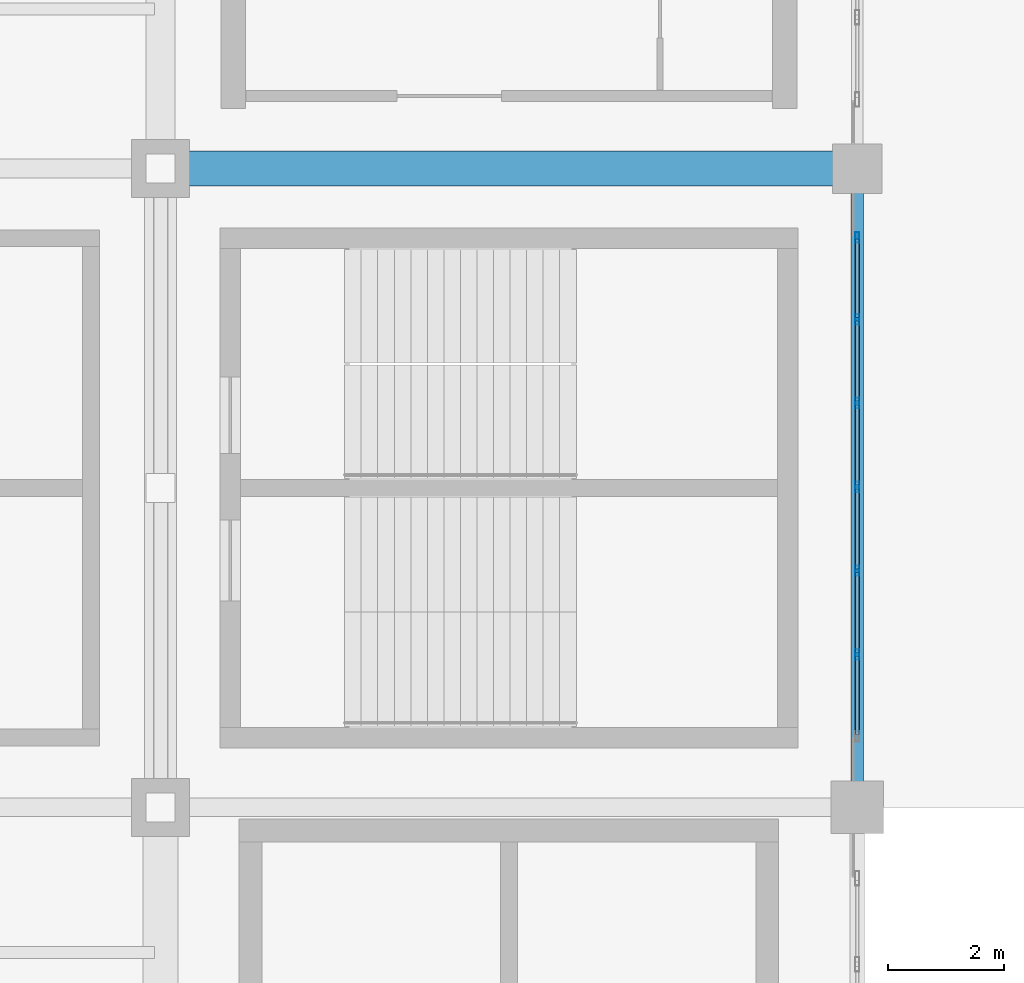
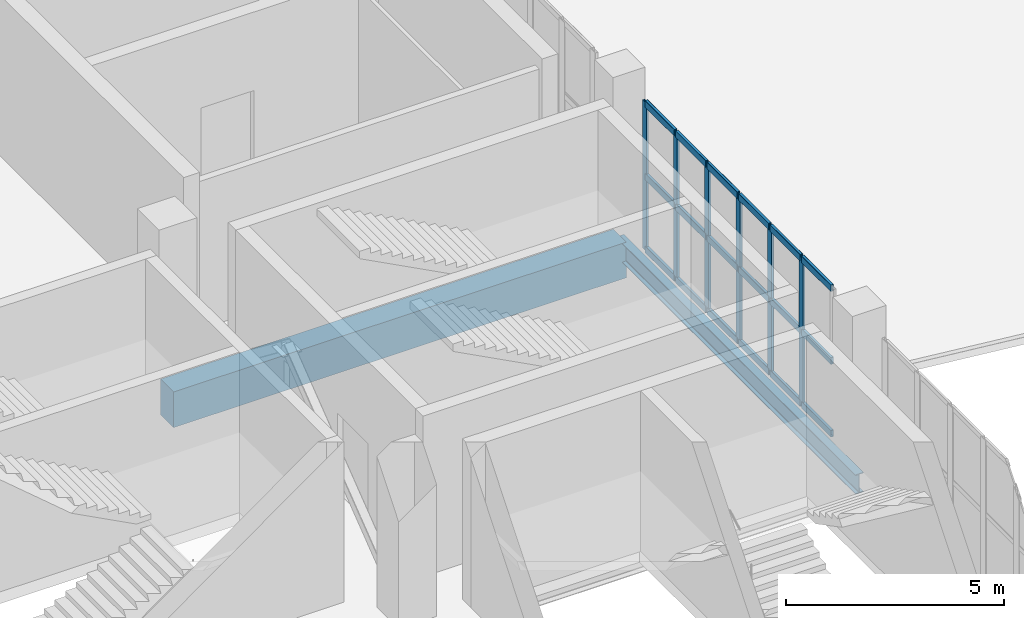
# One storey, part 50 of 108: 24 members, 2 beams, 1 element without a shape of its own.
"""IFC4 building model written with IfcOpenShell, lengths in metres."""

from ifc_helpers import new_model, si_unit, direction, frame, origin, origin_2d, place, context, subcontext, project, spatial, rectangle, hollow_rectangle, i_section, extrude, material, layer, layer_set, material_profile, profile_set, type_object, element, aggregate, save


model = new_model("IFC4")

# Units and contexts
model_context = context("Model", 3, precision=1e-05, world=origin(), true_north=direction((0.0, 1.0)))
body_context = subcontext(model_context, "Body", "Model", "MODEL_VIEW")
ifc_project = project(units=[si_unit("LENGTHUNIT", "METRE"), si_unit("AREAUNIT", "SQUARE_METRE"), si_unit("VOLUMEUNIT", "CUBIC_METRE"), si_unit("PLANEANGLEUNIT", "RADIAN"), si_unit("MASSUNIT", "GRAM", prefix="KILO")], contexts=[model_context])

# Site, building, storey
site_placement = place(None, origin())
site = spatial("IfcSite", under=ifc_project, at=site_placement, CompositionType="ELEMENT")
building_placement = place(site_placement, origin())
building = spatial("IfcBuilding", under=site, at=building_placement, Name="Brinegate Civic Arena", CompositionType="ELEMENT")
storey_placement = place(building_placement, frame((0.0, 0.0, 10.199951171875)))
storey = spatial("IfcBuildingStorey", under=building, at=storey_placement, Name="L02", CompositionType="ELEMENT", Elevation=10.199951171875)

# Curtain wall, members
ifc_material_1 = material(Name="Marine grade aluminium", Category="aluminium")
ifc_layer = layer(ifc_material_1, 0.199951171875, Name="Marine grade aluminium")
ifc_layer_set = layer_set([ifc_layer], Name="Marine grade aluminium")
curtain_wall_type = type_object("IfcCurtainWallType", Name="CW-BOWL-GLAZED-01", PredefinedType="USERDEFINED", material=ifc_layer_set)
curtain_wall_placement = place(storey_placement, origin())
curtain_wall = element("IfcCurtainWall", 1, at=curtain_wall_placement, inside=storey, type_object=curtain_wall_type, Name="Curtain Wall CWA-076", ObjectType="GLAZED CURTAIN WALL", PredefinedType="USERDEFINED")
ifc_material_profile_1 = material_profile(ifc_material_1, hollow_rectangle(XDim=0.06494140625, YDim=0.179931640625, WallThickness=0.0048828125, InnerFilletRadius=0.00390625, OuterFilletRadius=0.008056640625, at=origin_2d()), Name="MUL65X180")
ifc_profile_set_1 = profile_set([ifc_material_profile_1], Name="Marine grade aluminium")
member_type_1 = type_object("IfcMemberType", Name="CW-MULLION-65X180", PredefinedType="MULLION", material=ifc_profile_set_1)
member_1_placement = place(storey_placement, frame((168.0, 22.6298828125, 0.0), z_axis=(0.0, 0.0, 1.0), x_axis=(-1.0, 0.0, 0.0)))
member_1 = element("IfcMember", 2, at=member_1_placement, type_object=member_type_1, Name="CWA-076 mullion 2", PredefinedType="MULLION", context=body_context, shape_type="SweptSolid", body=[
    extrude(hollow_rectangle(XDim=0.06494140625, YDim=0.179931640625, WallThickness=0.0048828125, InnerFilletRadius=0.00390625, OuterFilletRadius=0.008056640625, at=origin_2d()), origin(), (0.0, 0.0, 1.0), 4.150146484375),
])
member_2_placement = place(storey_placement, frame((168.0, 24.07373046875, 0.0), z_axis=(0.0, 0.0, 1.0), x_axis=(-1.0, 0.0, 0.0)))
member_2 = element("IfcMember", 3, at=member_2_placement, type_object=member_type_1, Name="CWA-076 mullion 3", PredefinedType="MULLION", context=body_context, shape_type="SweptSolid", body=[
    extrude(hollow_rectangle(XDim=0.06494140625, YDim=0.179931640625, WallThickness=0.0048828125, InnerFilletRadius=0.00390625, OuterFilletRadius=0.008056640625, at=origin_2d()), origin(), (0.0, 0.0, 1.0), 4.150146484375),
])
member_3_placement = place(storey_placement, frame((168.0, 25.517578125, 0.0), z_axis=(0.0, 0.0, 1.0), x_axis=(-1.0, 0.0, 0.0)))
member_3 = element("IfcMember", 4, at=member_3_placement, type_object=member_type_1, Name="CWA-076 mullion 4", PredefinedType="MULLION", context=body_context, shape_type="SweptSolid", body=[
    extrude(hollow_rectangle(XDim=0.06494140625, YDim=0.179931640625, WallThickness=0.0048828125, InnerFilletRadius=0.00390625, OuterFilletRadius=0.008056640625, at=origin_2d()), origin(), (0.0, 0.0, 1.0), 4.150146484375),
])
member_4_placement = place(storey_placement, frame((168.0, 26.96142578125, 0.0), z_axis=(0.0, 0.0, 1.0), x_axis=(-1.0, 0.0, 0.0)))
member_4 = element("IfcMember", 5, at=member_4_placement, type_object=member_type_1, Name="CWA-076 mullion 5", PredefinedType="MULLION", context=body_context, shape_type="SweptSolid", body=[
    extrude(hollow_rectangle(XDim=0.06494140625, YDim=0.179931640625, WallThickness=0.0048828125, InnerFilletRadius=0.00390625, OuterFilletRadius=0.008056640625, at=origin_2d()), origin(), (0.0, 0.0, 1.0), 4.150146484375),
])
member_5_placement = place(storey_placement, frame((168.0, 28.4052734375, 0.0), z_axis=(0.0, 0.0, 1.0), x_axis=(-1.0, 0.0, 0.0)))
member_5 = element("IfcMember", 6, at=member_5_placement, type_object=member_type_1, Name="CWA-076 mullion 6", PredefinedType="MULLION", context=body_context, shape_type="SweptSolid", body=[
    extrude(hollow_rectangle(XDim=0.06494140625, YDim=0.179931640625, WallThickness=0.0048828125, InnerFilletRadius=0.00390625, OuterFilletRadius=0.008056640625, at=origin_2d()), origin(), (0.0, 0.0, 1.0), 4.150146484375),
])
member_6_placement = place(storey_placement, frame((168.0, 29.81640625, 0.0), z_axis=(0.0, 0.0, 1.0), x_axis=(-1.0, 0.0, 0.0)))
member_6 = element("IfcMember", 7, at=member_6_placement, type_object=member_type_1, Name="CWA-076 mullion 7", PredefinedType="MULLION", context=body_context, shape_type="SweptSolid", body=[
    extrude(hollow_rectangle(XDim=0.06494140625, YDim=0.179931640625, WallThickness=0.0048828125, InnerFilletRadius=0.00390625, OuterFilletRadius=0.008056640625, at=origin_2d()), origin(), (0.0, 0.0, 1.0), 4.150146484375),
])
ifc_material_profile_2 = material_profile(ifc_material_1, hollow_rectangle(XDim=0.074951171875, YDim=0.18994140625, WallThickness=0.006103515625, InnerFilletRadius=0.00390625, OuterFilletRadius=0.008056640625, at=origin_2d()), Name="TRN75X190")
ifc_profile_set_2 = profile_set([ifc_material_profile_2], Name="Marine grade aluminium")
member_type_2 = type_object("IfcMemberType", Name="CW-TRANSOM-75X190", PredefinedType="USERDEFINED", material=ifc_profile_set_2)
member_7_placement = place(storey_placement, frame((168.0, 21.2509765625, 0.03759765625), z_axis=(0.0, 1.0, 0.0), x_axis=(-1.0, 0.0, 0.0)))
member_7 = element("IfcMember", 8, at=member_7_placement, type_object=member_type_2, Name="CWA-076 transom 1.1", ObjectType="TRANSOM", PredefinedType="USERDEFINED", context=body_context, shape_type="SweptSolid", body=[
    extrude(hollow_rectangle(XDim=0.074951171875, YDim=0.18994140625, WallThickness=0.006103515625, InnerFilletRadius=0.00390625, OuterFilletRadius=0.008056640625, at=origin_2d()), origin(), (0.0, 0.0, 1.0), 1.346435546875),
])
member_8_placement = place(storey_placement, frame((168.0, 21.2509765625, 2.074951171875), z_axis=(0.0, 1.0, 0.0), x_axis=(-1.0, 0.0, 0.0)))
member_8 = element("IfcMember", 9, at=member_8_placement, type_object=member_type_2, Name="CWA-076 transom 1.2", ObjectType="TRANSOM", PredefinedType="USERDEFINED", context=body_context, shape_type="SweptSolid", body=[
    extrude(hollow_rectangle(XDim=0.074951171875, YDim=0.18994140625, WallThickness=0.006103515625, InnerFilletRadius=0.00390625, OuterFilletRadius=0.008056640625, at=origin_2d()), origin(), (0.0, 0.0, 1.0), 1.346435546875),
])
member_9_placement = place(storey_placement, frame((168.0, 21.2509765625, 4.112548828125), z_axis=(0.0, 1.0, 0.0), x_axis=(-1.0, 0.0, 0.0)))
member_9 = element("IfcMember", 10, at=member_9_placement, type_object=member_type_2, Name="CWA-076 transom 1.3", ObjectType="TRANSOM", PredefinedType="USERDEFINED", context=body_context, shape_type="SweptSolid", body=[
    extrude(hollow_rectangle(XDim=0.074951171875, YDim=0.18994140625, WallThickness=0.006103515625, InnerFilletRadius=0.00390625, OuterFilletRadius=0.008056640625, at=origin_2d()), origin(), (0.0, 0.0, 1.0), 1.346435546875),
])
member_10_placement = place(storey_placement, frame((168.0, 22.662353515625, 0.03759765625), z_axis=(0.0, 1.0, 0.0), x_axis=(-1.0, 0.0, 0.0)))
member_10 = element("IfcMember", 11, at=member_10_placement, type_object=member_type_2, Name="CWA-076 transom 2.1", ObjectType="TRANSOM", PredefinedType="USERDEFINED", context=body_context, shape_type="SweptSolid", body=[
    extrude(hollow_rectangle(XDim=0.074951171875, YDim=0.18994140625, WallThickness=0.006103515625, InnerFilletRadius=0.00390625, OuterFilletRadius=0.008056640625, at=origin_2d()), origin(), (0.0, 0.0, 1.0), 1.37890625),
])
member_11_placement = place(storey_placement, frame((168.0, 22.662353515625, 2.074951171875), z_axis=(0.0, 1.0, 0.0), x_axis=(-1.0, 0.0, 0.0)))
member_11 = element("IfcMember", 12, at=member_11_placement, type_object=member_type_2, Name="CWA-076 transom 2.2", ObjectType="TRANSOM", PredefinedType="USERDEFINED", context=body_context, shape_type="SweptSolid", body=[
    extrude(hollow_rectangle(XDim=0.074951171875, YDim=0.18994140625, WallThickness=0.006103515625, InnerFilletRadius=0.00390625, OuterFilletRadius=0.008056640625, at=origin_2d()), origin(), (0.0, 0.0, 1.0), 1.37890625),
])
member_12_placement = place(storey_placement, frame((168.0, 22.662353515625, 4.112548828125), z_axis=(0.0, 1.0, 0.0), x_axis=(-1.0, 0.0, 0.0)))
member_12 = element("IfcMember", 13, at=member_12_placement, type_object=member_type_2, Name="CWA-076 transom 2.3", ObjectType="TRANSOM", PredefinedType="USERDEFINED", context=body_context, shape_type="SweptSolid", body=[
    extrude(hollow_rectangle(XDim=0.074951171875, YDim=0.18994140625, WallThickness=0.006103515625, InnerFilletRadius=0.00390625, OuterFilletRadius=0.008056640625, at=origin_2d()), origin(), (0.0, 0.0, 1.0), 1.37890625),
])
member_13_placement = place(storey_placement, frame((168.0, 24.106201171875, 0.03759765625), z_axis=(0.0, 1.0, 0.0), x_axis=(-1.0, 0.0, 0.0)))
member_13 = element("IfcMember", 14, at=member_13_placement, type_object=member_type_2, Name="CWA-076 transom 3.1", ObjectType="TRANSOM", PredefinedType="USERDEFINED", context=body_context, shape_type="SweptSolid", body=[
    extrude(hollow_rectangle(XDim=0.074951171875, YDim=0.18994140625, WallThickness=0.006103515625, InnerFilletRadius=0.00390625, OuterFilletRadius=0.008056640625, at=origin_2d()), origin(), (0.0, 0.0, 1.0), 1.37890625),
])
member_14_placement = place(storey_placement, frame((168.0, 24.106201171875, 2.074951171875), z_axis=(0.0, 1.0, 0.0), x_axis=(-1.0, 0.0, 0.0)))
member_14 = element("IfcMember", 15, at=member_14_placement, type_object=member_type_2, Name="CWA-076 transom 3.2", ObjectType="TRANSOM", PredefinedType="USERDEFINED", context=body_context, shape_type="SweptSolid", body=[
    extrude(hollow_rectangle(XDim=0.074951171875, YDim=0.18994140625, WallThickness=0.006103515625, InnerFilletRadius=0.00390625, OuterFilletRadius=0.008056640625, at=origin_2d()), origin(), (0.0, 0.0, 1.0), 1.37890625),
])
member_15_placement = place(storey_placement, frame((168.0, 24.106201171875, 4.112548828125), z_axis=(0.0, 1.0, 0.0), x_axis=(-1.0, 0.0, 0.0)))
member_15 = element("IfcMember", 16, at=member_15_placement, type_object=member_type_2, Name="CWA-076 transom 3.3", ObjectType="TRANSOM", PredefinedType="USERDEFINED", context=body_context, shape_type="SweptSolid", body=[
    extrude(hollow_rectangle(XDim=0.074951171875, YDim=0.18994140625, WallThickness=0.006103515625, InnerFilletRadius=0.00390625, OuterFilletRadius=0.008056640625, at=origin_2d()), origin(), (0.0, 0.0, 1.0), 1.37890625),
])
member_16_placement = place(storey_placement, frame((168.0, 25.550048828125, 0.03759765625), z_axis=(0.0, 1.0, 0.0), x_axis=(-1.0, 0.0, 0.0)))
member_16 = element("IfcMember", 17, at=member_16_placement, type_object=member_type_2, Name="CWA-076 transom 4.1", ObjectType="TRANSOM", PredefinedType="USERDEFINED", context=body_context, shape_type="SweptSolid", body=[
    extrude(hollow_rectangle(XDim=0.074951171875, YDim=0.18994140625, WallThickness=0.006103515625, InnerFilletRadius=0.00390625, OuterFilletRadius=0.008056640625, at=origin_2d()), origin(), (0.0, 0.0, 1.0), 1.37890625),
])
member_17_placement = place(storey_placement, frame((168.0, 25.550048828125, 2.074951171875), z_axis=(0.0, 1.0, 0.0), x_axis=(-1.0, 0.0, 0.0)))
member_17 = element("IfcMember", 18, at=member_17_placement, type_object=member_type_2, Name="CWA-076 transom 4.2", ObjectType="TRANSOM", PredefinedType="USERDEFINED", context=body_context, shape_type="SweptSolid", body=[
    extrude(hollow_rectangle(XDim=0.074951171875, YDim=0.18994140625, WallThickness=0.006103515625, InnerFilletRadius=0.00390625, OuterFilletRadius=0.008056640625, at=origin_2d()), origin(), (0.0, 0.0, 1.0), 1.37890625),
])
member_18_placement = place(storey_placement, frame((168.0, 25.550048828125, 4.112548828125), z_axis=(0.0, 1.0, 0.0), x_axis=(-1.0, 0.0, 0.0)))
member_18 = element("IfcMember", 19, at=member_18_placement, type_object=member_type_2, Name="CWA-076 transom 4.3", ObjectType="TRANSOM", PredefinedType="USERDEFINED", context=body_context, shape_type="SweptSolid", body=[
    extrude(hollow_rectangle(XDim=0.074951171875, YDim=0.18994140625, WallThickness=0.006103515625, InnerFilletRadius=0.00390625, OuterFilletRadius=0.008056640625, at=origin_2d()), origin(), (0.0, 0.0, 1.0), 1.37890625),
])
member_19_placement = place(storey_placement, frame((168.0, 26.993896484375, 0.03759765625), z_axis=(0.0, 1.0, 0.0), x_axis=(-1.0, 0.0, 0.0)))
member_19 = element("IfcMember", 20, at=member_19_placement, type_object=member_type_2, Name="CWA-076 transom 5.1", ObjectType="TRANSOM", PredefinedType="USERDEFINED", context=body_context, shape_type="SweptSolid", body=[
    extrude(hollow_rectangle(XDim=0.074951171875, YDim=0.18994140625, WallThickness=0.006103515625, InnerFilletRadius=0.00390625, OuterFilletRadius=0.008056640625, at=origin_2d()), origin(), (0.0, 0.0, 1.0), 1.378662109375),
])
member_20_placement = place(storey_placement, frame((168.0, 26.993896484375, 2.074951171875), z_axis=(0.0, 1.0, 0.0), x_axis=(-1.0, 0.0, 0.0)))
member_20 = element("IfcMember", 21, at=member_20_placement, type_object=member_type_2, Name="CWA-076 transom 5.2", ObjectType="TRANSOM", PredefinedType="USERDEFINED", context=body_context, shape_type="SweptSolid", body=[
    extrude(hollow_rectangle(XDim=0.074951171875, YDim=0.18994140625, WallThickness=0.006103515625, InnerFilletRadius=0.00390625, OuterFilletRadius=0.008056640625, at=origin_2d()), origin(), (0.0, 0.0, 1.0), 1.378662109375),
])
member_21_placement = place(storey_placement, frame((168.0, 26.993896484375, 4.112548828125), z_axis=(0.0, 1.0, 0.0), x_axis=(-1.0, 0.0, 0.0)))
member_21 = element("IfcMember", 22, at=member_21_placement, type_object=member_type_2, Name="CWA-076 transom 5.3", ObjectType="TRANSOM", PredefinedType="USERDEFINED", context=body_context, shape_type="SweptSolid", body=[
    extrude(hollow_rectangle(XDim=0.074951171875, YDim=0.18994140625, WallThickness=0.006103515625, InnerFilletRadius=0.00390625, OuterFilletRadius=0.008056640625, at=origin_2d()), origin(), (0.0, 0.0, 1.0), 1.378662109375),
])
member_22_placement = place(storey_placement, frame((168.0, 28.437744140625, 0.03759765625), z_axis=(0.0, 1.0, 0.0), x_axis=(-1.0, 0.0, 0.0)))
member_22 = element("IfcMember", 23, at=member_22_placement, type_object=member_type_2, Name="CWA-076 transom 6.1", ObjectType="TRANSOM", PredefinedType="USERDEFINED", context=body_context, shape_type="SweptSolid", body=[
    extrude(hollow_rectangle(XDim=0.074951171875, YDim=0.18994140625, WallThickness=0.006103515625, InnerFilletRadius=0.00390625, OuterFilletRadius=0.008056640625, at=origin_2d()), origin(), (0.0, 0.0, 1.0), 1.34619140625),
])
member_23_placement = place(storey_placement, frame((168.0, 28.437744140625, 2.074951171875), z_axis=(0.0, 1.0, 0.0), x_axis=(-1.0, 0.0, 0.0)))
member_23 = element("IfcMember", 24, at=member_23_placement, type_object=member_type_2, Name="CWA-076 transom 6.2", ObjectType="TRANSOM", PredefinedType="USERDEFINED", context=body_context, shape_type="SweptSolid", body=[
    extrude(hollow_rectangle(XDim=0.074951171875, YDim=0.18994140625, WallThickness=0.006103515625, InnerFilletRadius=0.00390625, OuterFilletRadius=0.008056640625, at=origin_2d()), origin(), (0.0, 0.0, 1.0), 1.34619140625),
])
member_24_placement = place(storey_placement, frame((168.0, 28.437744140625, 4.112548828125), z_axis=(0.0, 1.0, 0.0), x_axis=(-1.0, 0.0, 0.0)))
member_24 = element("IfcMember", 25, at=member_24_placement, type_object=member_type_2, Name="CWA-076 transom 6.3", ObjectType="TRANSOM", PredefinedType="USERDEFINED", context=body_context, shape_type="SweptSolid", body=[
    extrude(hollow_rectangle(XDim=0.074951171875, YDim=0.18994140625, WallThickness=0.006103515625, InnerFilletRadius=0.00390625, OuterFilletRadius=0.008056640625, at=origin_2d()), origin(), (0.0, 0.0, 1.0), 1.34619140625),
])
aggregate(curtain_wall, [member_1, member_2, member_3, member_4, member_5, member_6, member_7, member_8, member_9, member_10, member_11, member_12, member_13, member_14, member_15, member_16, member_17, member_18, member_19, member_20, member_21, member_22, member_23, member_24])

# Beams
ifc_material_2 = material(Name="Concrete C50/60", Category="concrete")
ifc_material_profile_3 = material_profile(ifc_material_2, rectangle(XDim=0.60009765625, YDim=1.0, at=origin_2d()), Name="RCB600X1000")
ifc_profile_set_3 = profile_set([ifc_material_profile_3], Name="Concrete C50/60")
beam_type_1 = type_object("IfcBeamType", Name="RCG-600X1000", PredefinedType="BEAM", material=ifc_profile_set_3)
beam_1_placement = place(storey_placement, frame((156.0, 31.0, -0.829833984375), z_axis=(1.0, 0.0, 0.0), x_axis=(0.0, 1.0, 0.0)))
element("IfcBeam", 26, at=beam_1_placement, inside=storey, type_object=beam_type_1, Name="Floor Girder BM-L02-GX-13-03", PredefinedType="BEAM", context=body_context, shape_type="SweptSolid", body=[
    extrude(rectangle(XDim=0.60009765625, YDim=1.0, at=origin_2d()), origin(), (0.0, 0.0, 1.0), 12.0),
])
ifc_material_3 = material(Name="Steel S355", Category="steel")
ifc_material_profile_4 = material_profile(ifc_material_3, i_section(OverallWidth=0.2119140625, OverallDepth=0.5439453125, WebThickness=0.012939453125, FlangeThickness=0.02099609375, FilletRadius=0.01611328125, at=origin_2d()), Name="W530X123")
ifc_profile_set_4 = profile_set([ifc_material_profile_4], Name="Steel S355")
beam_type_2 = type_object("IfcBeamType", Name="SPANDREL-W530X123", PredefinedType="SPANDREL", material=ifc_profile_set_4)
beam_2_placement = place(storey_placement, frame((168.0, 20.0, -0.60205078125), z_axis=(0.0, 1.0, 0.0), x_axis=(-1.0, 0.0, 0.0)))
element("IfcBeam", 27, at=beam_2_placement, inside=storey, type_object=beam_type_2, Name="Floor Girder BM-L02-GY-14-02", PredefinedType="SPANDREL", context=body_context, shape_type="SweptSolid", body=[
    extrude(i_section(OverallWidth=0.2119140625, OverallDepth=0.5439453125, WebThickness=0.012939453125, FlangeThickness=0.02099609375, FilletRadius=0.01611328125, at=origin_2d()), origin(), (0.0, 0.0, 1.0), 11.0),
])

save(model, "model.ifc")
